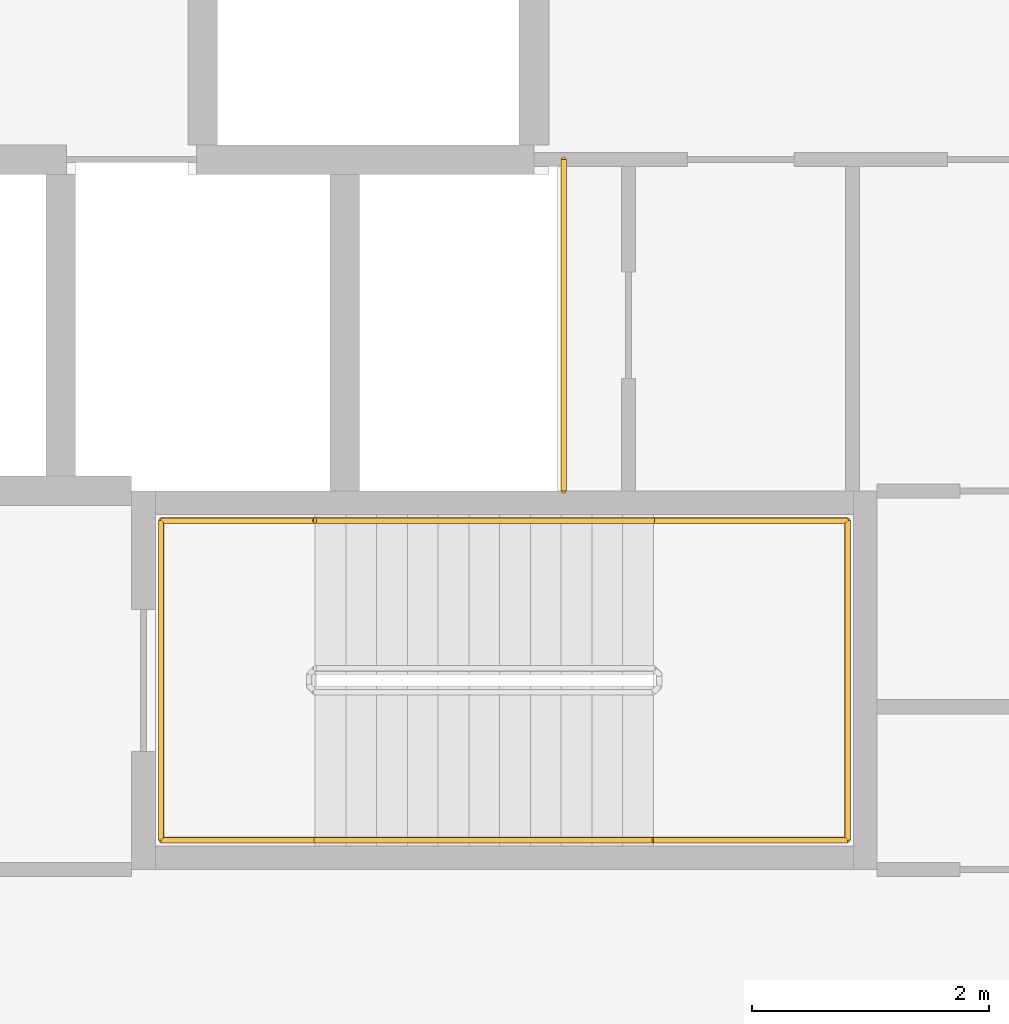
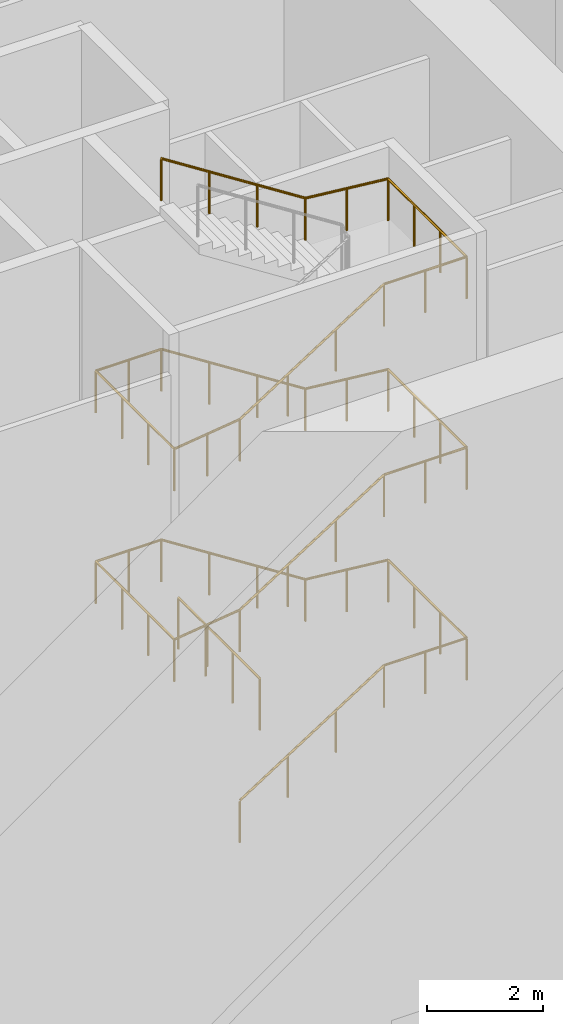
# One storey, part 15 of 21: 2 railings.
"""IFC4 building model written with IfcOpenShell, lengths in metres."""

from ifc_helpers import new_model, si_unit, direction, frame, origin, origin_2d, place, context, subcontext, project, spatial, circle, extrude, source, transform, mapped, material, type_object, element, save


model = new_model("IFC4")

# Units and contexts
model_context = context("Model", 3, precision=1e-05, world=origin(), true_north=direction((0.0, 1.0)))
body_context = subcontext(model_context, "Body", "Model", "MODEL_VIEW")
ifc_project = project(units=[si_unit("LENGTHUNIT", "METRE"), si_unit("AREAUNIT", "SQUARE_METRE"), si_unit("VOLUMEUNIT", "CUBIC_METRE"), si_unit("PLANEANGLEUNIT", "RADIAN"), si_unit("MASSUNIT", "GRAM", prefix="KILO")], contexts=[model_context])

# Site, building, storey
site_placement = place(None, origin())
site = spatial("IfcSite", under=ifc_project, at=site_placement, CompositionType="ELEMENT")
building_placement = place(site_placement, origin())
building = spatial("IfcBuilding", under=site, at=building_placement, Name="Embergate Tower", CompositionType="ELEMENT")
storey_placement = place(building_placement, frame((0.0, 0.0, 12.0)))
storey = spatial("IfcBuildingStorey", under=building, at=storey_placement, Name="L01", CompositionType="ELEMENT", Elevation=12.0)

# Railings
ifc_material_1 = material(Name="Stair handrail 900")
railing_type_1 = type_object("IfcRailingType", Name="Stair handrail 900", PredefinedType="HANDRAIL", material=ifc_material_1)
shared_shape_1 = source(origin(), body_context, "Body", "SweptSolid", [
    extrude(circle(Radius=0.02392578125, at=origin_2d()), frame((0.0, 0.0, 0.8759765625), z_axis=(0.841899231129, 0.0, 0.539634769658), x_axis=(0.0, 1.0, 0.0)), (0.0, 0.0, 1.0), 3.397216796875),
    extrude(circle(Radius=0.02392578125, at=origin_2d()), frame((2.860107421875, 0.0, 2.708984375), z_axis=(1.0, 0.0, 0.0), x_axis=(0.0, 1.0, 0.0)), (0.0, 0.0, 1.0), 1.639892578125),
    extrude(circle(Radius=0.02392578125, at=origin_2d()), frame((4.5, 0.0, 2.708984375), z_axis=(0.0, 1.0, 0.0), x_axis=(-1.0, 0.0, 0.0)), (0.0, 0.0, 1.0), 2.699951171875),
    extrude(circle(Radius=0.02392578125, at=origin_2d()), frame((4.5, 2.699951171875, 2.708984375), z_axis=(-0.99487010061, 0.0, 0.101160678683), x_axis=(0.0, -1.0, 0.0)), (0.0, 0.0, 1.0), 1.6484375),
    extrude(circle(Radius=0.02392578125, at=origin_2d()), frame((2.860107421875, 2.699951171875, 2.8759765625), z_axis=(-0.841899231129, 0.0, 0.539634769658), x_axis=(0.0, -1.0, 0.0)), (0.0, 0.0, 1.0), 3.397216796875),
    extrude(circle(Radius=0.02392578125, at=origin_2d()), frame((0.0, 2.699951171875, 4.708984375), z_axis=(-1.0, 0.0, 0.0), x_axis=(0.0, -1.0, 0.0)), (0.0, 0.0, 1.0), 1.300048828125),
    extrude(circle(Radius=0.02392578125, at=origin_2d()), frame((-1.300048828125, 2.699951171875, 4.708984375), z_axis=(0.0, -1.0, 0.0), x_axis=(1.0, 0.0, 0.0)), (0.0, 0.0, 1.0), 2.699951171875),
    extrude(circle(Radius=0.02392578125, at=origin_2d()), frame((-1.300048828125, 0.0, 4.708984375), z_axis=(0.991874434073, 0.0, 0.12722070206), x_axis=(0.0, 1.0, 0.0)), (0.0, 0.0, 1.0), 1.310791015625),
    extrude(circle(Radius=0.02392578125, at=origin_2d()), frame((0.0, 0.0, 4.8759765625), z_axis=(0.841899231129, 0.0, 0.539634769658), x_axis=(0.0, 1.0, 0.0)), (0.0, 0.0, 1.0), 3.397216796875),
    extrude(circle(Radius=0.02392578125, at=origin_2d()), frame((2.860107421875, 0.0, 6.708984375), z_axis=(1.0, 0.0, 0.0), x_axis=(0.0, 1.0, 0.0)), (0.0, 0.0, 1.0), 1.639892578125),
    extrude(circle(Radius=0.02392578125, at=origin_2d()), frame((4.5, 0.0, 6.708984375), z_axis=(0.0, 1.0, 0.0), x_axis=(-1.0, 0.0, 0.0)), (0.0, 0.0, 1.0), 2.699951171875),
    extrude(circle(Radius=0.02392578125, at=origin_2d()), frame((4.5, 2.699951171875, 6.708984375), z_axis=(-0.99487010061, 0.0, 0.101160678683), x_axis=(0.0, -1.0, 0.0)), (0.0, 0.0, 1.0), 1.6484375),
    extrude(circle(Radius=0.02392578125, at=origin_2d()), frame((2.860107421875, 2.699951171875, 6.8759765625), z_axis=(-0.841899231129, 0.0, 0.539634769658), x_axis=(0.0, -1.0, 0.0)), (0.0, 0.0, 1.0), 3.397216796875),
    extrude(circle(Radius=0.02392578125, at=origin_2d()), frame((0.0, 2.699951171875, 8.708984375), z_axis=(-1.0, 0.0, 0.0), x_axis=(0.0, -1.0, 0.0)), (0.0, 0.0, 1.0), 1.300048828125),
    extrude(circle(Radius=0.02392578125, at=origin_2d()), frame((-1.300048828125, 2.699951171875, 8.708984375), z_axis=(0.0, -1.0, 0.0), x_axis=(1.0, 0.0, 0.0)), (0.0, 0.0, 1.0), 2.699951171875),
    extrude(circle(Radius=0.02392578125, at=origin_2d()), frame((-1.300048828125, 0.0, 8.708984375), z_axis=(0.991874434073, 0.0, 0.12722070206), x_axis=(0.0, 1.0, 0.0)), (0.0, 0.0, 1.0), 1.310791015625),
    extrude(circle(Radius=0.02392578125, at=origin_2d()), frame((0.0, 0.0, 8.8759765625), z_axis=(0.841899231129, 0.0, 0.539634769658), x_axis=(0.0, 1.0, 0.0)), (0.0, 0.0, 1.0), 3.397216796875),
    extrude(circle(Radius=0.02392578125, at=origin_2d()), frame((2.860107421875, 0.0, 10.708984375), z_axis=(1.0, 0.0, 0.0), x_axis=(0.0, 1.0, 0.0)), (0.0, 0.0, 1.0), 1.639892578125),
    extrude(circle(Radius=0.02392578125, at=origin_2d()), frame((4.5, 0.0, 10.708984375), z_axis=(0.0, 1.0, 0.0), x_axis=(-1.0, 0.0, 0.0)), (0.0, 0.0, 1.0), 2.699951171875),
    extrude(circle(Radius=0.02392578125, at=origin_2d()), frame((4.5, 2.699951171875, 10.708984375), z_axis=(-0.99487010061, 0.0, 0.101160678683), x_axis=(0.0, -1.0, 0.0)), (0.0, 0.0, 1.0), 1.6484375),
    extrude(circle(Radius=0.02392578125, at=origin_2d()), frame((2.860107421875, 2.699951171875, 10.8759765625), z_axis=(-0.841899231129, 0.0, 0.539634769658), x_axis=(0.0, -1.0, 0.0)), (0.0, 0.0, 1.0), 3.397216796875),
    extrude(circle(Radius=0.02099609375, at=origin_2d()), origin(), (0.0, 0.0, 1.0), 0.851806640625),
    extrude(circle(Radius=0.02099609375, at=origin_2d()), frame((0.953369140625, 0.0, 0.611083984375)), (0.0, 0.0, 1.0), 0.851806640625),
    extrude(circle(Radius=0.02099609375, at=origin_2d()), frame((1.90673828125, 0.0, 1.22216796875)), (0.0, 0.0, 1.0), 0.851806640625),
    extrude(circle(Radius=0.02099609375, at=origin_2d()), frame((2.860107421875, 0.0, 1.833251953125)), (0.0, 0.0, 1.0), 0.851806640625),
    extrude(circle(Radius=0.02099609375, at=origin_2d()), frame((3.68017578125, 0.0, 1.833251953125)), (0.0, 0.0, 1.0), 0.851806640625),
    extrude(circle(Radius=0.02099609375, at=origin_2d()), frame((4.5, 0.0, 1.833251953125)), (0.0, 0.0, 1.0), 0.851806640625),
    extrude(circle(Radius=0.02099609375, at=origin_2d()), frame((4.5, 0.89990234375, 1.833251953125)), (0.0, 0.0, 1.0), 0.851806640625),
    extrude(circle(Radius=0.02099609375, at=origin_2d()), frame((4.5, 1.800048828125, 1.833251953125)), (0.0, 0.0, 1.0), 0.851806640625),
    extrude(circle(Radius=0.02099609375, at=origin_2d()), frame((4.5, 2.699951171875, 1.833251953125)), (0.0, 0.0, 1.0), 0.851806640625),
    extrude(circle(Radius=0.02099609375, at=origin_2d()), frame((3.68017578125, 2.699951171875, 1.91650390625)), (0.0, 0.0, 1.0), 0.851806640625),
    extrude(circle(Radius=0.02099609375, at=origin_2d()), frame((2.860107421875, 2.699951171875, 2.0)), (0.0, 0.0, 1.0), 0.851806640625),
    extrude(circle(Radius=0.02099609375, at=origin_2d()), frame((1.90673828125, 2.699951171875, 2.611083984375)), (0.0, 0.0, 1.0), 0.851806640625),
    extrude(circle(Radius=0.02099609375, at=origin_2d()), frame((0.953369140625, 2.699951171875, 3.22216796875)), (0.0, 0.0, 1.0), 0.851806640625),
    extrude(circle(Radius=0.02099609375, at=origin_2d()), frame((0.0, 2.699951171875, 3.833251953125)), (0.0, 0.0, 1.0), 0.851806640625),
    extrude(circle(Radius=0.02099609375, at=origin_2d()), frame((-0.64990234375, 2.699951171875, 3.833251953125)), (0.0, 0.0, 1.0), 0.851806640625),
    extrude(circle(Radius=0.02099609375, at=origin_2d()), frame((-1.300048828125, 2.699951171875, 3.833251953125)), (0.0, 0.0, 1.0), 0.851806640625),
    extrude(circle(Radius=0.02099609375, at=origin_2d()), frame((-1.300048828125, 1.800048828125, 3.833251953125)), (0.0, 0.0, 1.0), 0.851806640625),
    extrude(circle(Radius=0.02099609375, at=origin_2d()), frame((-1.300048828125, 0.89990234375, 3.833251953125)), (0.0, 0.0, 1.0), 0.851806640625),
    extrude(circle(Radius=0.02099609375, at=origin_2d()), frame((-1.300048828125, 0.0, 3.833251953125)), (0.0, 0.0, 1.0), 0.851806640625),
    extrude(circle(Radius=0.02099609375, at=origin_2d()), frame((-0.64990234375, 0.0, 3.91650390625)), (0.0, 0.0, 1.0), 0.851806640625),
    extrude(circle(Radius=0.02099609375, at=origin_2d()), frame((0.0, 0.0, 4.0)), (0.0, 0.0, 1.0), 0.851806640625),
    extrude(circle(Radius=0.02099609375, at=origin_2d()), frame((0.953369140625, 0.0, 4.611083984375)), (0.0, 0.0, 1.0), 0.851806640625),
    extrude(circle(Radius=0.02099609375, at=origin_2d()), frame((1.90673828125, 0.0, 5.22216796875)), (0.0, 0.0, 1.0), 0.851806640625),
    extrude(circle(Radius=0.02099609375, at=origin_2d()), frame((2.860107421875, 0.0, 5.833251953125)), (0.0, 0.0, 1.0), 0.851806640625),
    extrude(circle(Radius=0.02099609375, at=origin_2d()), frame((3.68017578125, 0.0, 5.833251953125)), (0.0, 0.0, 1.0), 0.851806640625),
    extrude(circle(Radius=0.02099609375, at=origin_2d()), frame((4.5, 0.0, 5.833251953125)), (0.0, 0.0, 1.0), 0.851806640625),
    extrude(circle(Radius=0.02099609375, at=origin_2d()), frame((4.5, 0.89990234375, 5.833251953125)), (0.0, 0.0, 1.0), 0.851806640625),
    extrude(circle(Radius=0.02099609375, at=origin_2d()), frame((4.5, 1.800048828125, 5.833251953125)), (0.0, 0.0, 1.0), 0.851806640625),
    extrude(circle(Radius=0.02099609375, at=origin_2d()), frame((4.5, 2.699951171875, 5.833251953125)), (0.0, 0.0, 1.0), 0.851806640625),
    extrude(circle(Radius=0.02099609375, at=origin_2d()), frame((3.68017578125, 2.699951171875, 5.91650390625)), (0.0, 0.0, 1.0), 0.851806640625),
    extrude(circle(Radius=0.02099609375, at=origin_2d()), frame((2.860107421875, 2.699951171875, 6.0)), (0.0, 0.0, 1.0), 0.851806640625),
    extrude(circle(Radius=0.02099609375, at=origin_2d()), frame((1.90673828125, 2.699951171875, 6.611083984375)), (0.0, 0.0, 1.0), 0.851806640625),
    extrude(circle(Radius=0.02099609375, at=origin_2d()), frame((0.953369140625, 2.699951171875, 7.22216796875)), (0.0, 0.0, 1.0), 0.851806640625),
    extrude(circle(Radius=0.02099609375, at=origin_2d()), frame((0.0, 2.699951171875, 7.833251953125)), (0.0, 0.0, 1.0), 0.851806640625),
    extrude(circle(Radius=0.02099609375, at=origin_2d()), frame((-0.64990234375, 2.699951171875, 7.833251953125)), (0.0, 0.0, 1.0), 0.851806640625),
    extrude(circle(Radius=0.02099609375, at=origin_2d()), frame((-1.300048828125, 2.699951171875, 7.833251953125)), (0.0, 0.0, 1.0), 0.851806640625),
    extrude(circle(Radius=0.02099609375, at=origin_2d()), frame((-1.300048828125, 1.800048828125, 7.833251953125)), (0.0, 0.0, 1.0), 0.851806640625),
    extrude(circle(Radius=0.02099609375, at=origin_2d()), frame((-1.300048828125, 0.89990234375, 7.833251953125)), (0.0, 0.0, 1.0), 0.851806640625),
    extrude(circle(Radius=0.02099609375, at=origin_2d()), frame((-1.300048828125, 0.0, 7.833251953125)), (0.0, 0.0, 1.0), 0.851806640625),
    extrude(circle(Radius=0.02099609375, at=origin_2d()), frame((-0.64990234375, 0.0, 7.91650390625)), (0.0, 0.0, 1.0), 0.851806640625),
    extrude(circle(Radius=0.02099609375, at=origin_2d()), frame((0.0, 0.0, 8.0)), (0.0, 0.0, 1.0), 0.851806640625),
    extrude(circle(Radius=0.02099609375, at=origin_2d()), frame((0.953369140625, 0.0, 8.611083984375)), (0.0, 0.0, 1.0), 0.851806640625),
    extrude(circle(Radius=0.02099609375, at=origin_2d()), frame((1.90673828125, 0.0, 9.22216796875)), (0.0, 0.0, 1.0), 0.851806640625),
    extrude(circle(Radius=0.02099609375, at=origin_2d()), frame((2.860107421875, 0.0, 9.833251953125)), (0.0, 0.0, 1.0), 0.851806640625),
    extrude(circle(Radius=0.02099609375, at=origin_2d()), frame((3.68017578125, 0.0, 9.833251953125)), (0.0, 0.0, 1.0), 0.851806640625),
    extrude(circle(Radius=0.02099609375, at=origin_2d()), frame((4.5, 0.0, 9.833251953125)), (0.0, 0.0, 1.0), 0.851806640625),
    extrude(circle(Radius=0.02099609375, at=origin_2d()), frame((4.5, 0.89990234375, 9.833251953125)), (0.0, 0.0, 1.0), 0.851806640625),
    extrude(circle(Radius=0.02099609375, at=origin_2d()), frame((4.5, 1.800048828125, 9.833251953125)), (0.0, 0.0, 1.0), 0.851806640625),
    extrude(circle(Radius=0.02099609375, at=origin_2d()), frame((4.5, 2.699951171875, 9.833251953125)), (0.0, 0.0, 1.0), 0.851806640625),
    extrude(circle(Radius=0.02099609375, at=origin_2d()), frame((3.68017578125, 2.699951171875, 9.91650390625)), (0.0, 0.0, 1.0), 0.851806640625),
    extrude(circle(Radius=0.02099609375, at=origin_2d()), frame((2.860107421875, 2.699951171875, 10.0)), (0.0, 0.0, 1.0), 0.851806640625),
    extrude(circle(Radius=0.02099609375, at=origin_2d()), frame((1.90673828125, 2.699951171875, 10.611083984375)), (0.0, 0.0, 1.0), 0.851806640625),
    extrude(circle(Radius=0.02099609375, at=origin_2d()), frame((0.953369140625, 2.699951171875, 11.22216796875)), (0.0, 0.0, 1.0), 0.851806640625),
    extrude(circle(Radius=0.02099609375, at=origin_2d()), frame((0.0, 2.699951171875, 11.833251953125)), (0.0, 0.0, 1.0), 0.851806640625),
])
railing_1_placement = place(storey_placement, frame((5.75, -8.25, 0.166748046875)))
element("IfcRailing", 1, at=railing_1_placement, inside=storey, type_object=railing_type_1, Name="L01 ST4 stair handrail 1", PredefinedType="HANDRAIL", context=body_context, shape_type="MappedRepresentation", body=[
    mapped(shared_shape_1, transform((0.0, 0.0, 0.0))),
])
ifc_material_2 = material(Name="Opening guard 1100")
railing_type_2 = type_object("IfcRailingType", Name="Opening guard 1100", PredefinedType="GUARDRAIL", material=ifc_material_2)
shared_shape_2 = source(origin(), body_context, "Body", "SweptSolid", [
    extrude(circle(Radius=0.02392578125, at=origin_2d()), frame((0.0, 0.0, 1.076171875), z_axis=(0.0, 1.0, 0.0), x_axis=(-1.0, 0.0, 0.0)), (0.0, 0.0, 1.0), 2.800048828125),
    extrude(circle(Radius=0.02099609375, at=origin_2d()), origin(), (0.0, 0.0, 1.0), 1.052001953125),
    extrude(circle(Radius=0.02099609375, at=origin_2d()), frame((0.0, 0.933349609375, 0.0)), (0.0, 0.0, 1.0), 1.052001953125),
    extrude(circle(Radius=0.02099609375, at=origin_2d()), frame((0.0, 1.86669921875, 0.0)), (0.0, 0.0, 1.0), 1.052001953125),
    extrude(circle(Radius=0.02099609375, at=origin_2d()), frame((0.0, 2.800048828125, 0.0)), (0.0, 0.0, 1.0), 1.052001953125),
])
railing_2_placement = place(storey_placement, frame((7.85009765625, -5.300048828125, 0.0)))
element("IfcRailing", 2, at=railing_2_placement, inside=storey, type_object=railing_type_2, Name="Riser opening guard", PredefinedType="GUARDRAIL", context=body_context, shape_type="MappedRepresentation", body=[
    mapped(shared_shape_2, transform((0.0, 0.0, 0.0))),
])

save(model, "model.ifc")
